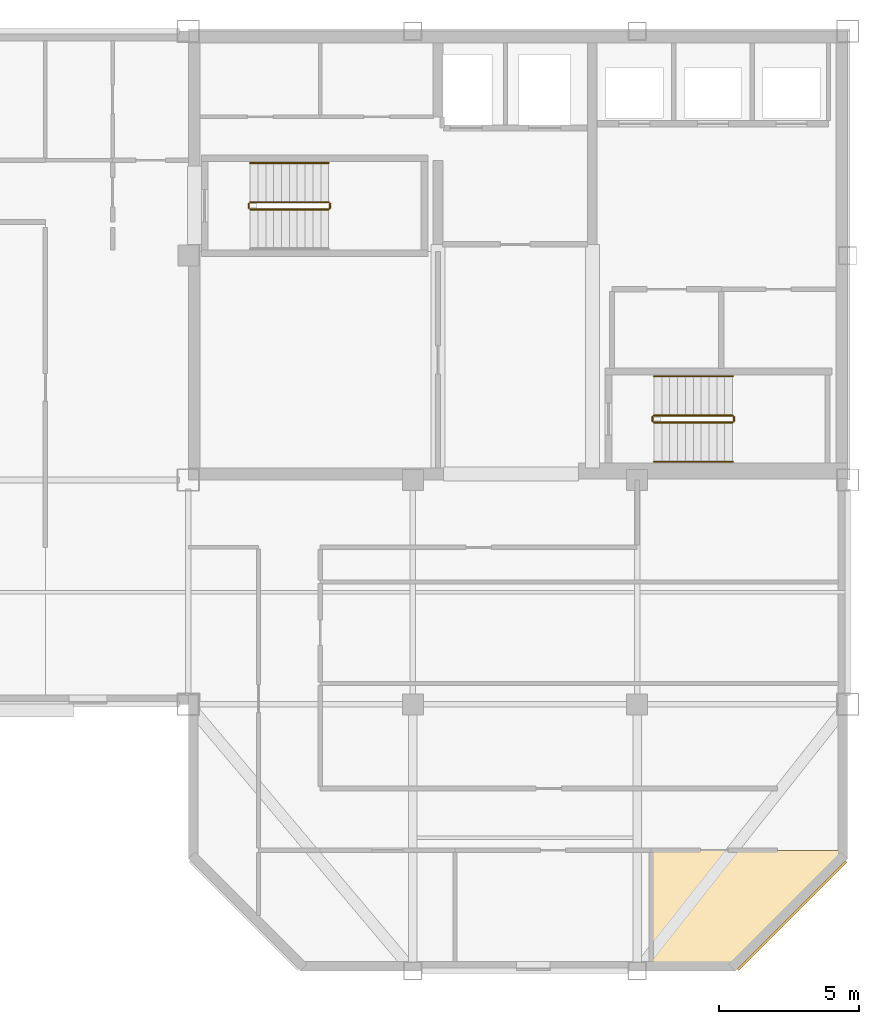
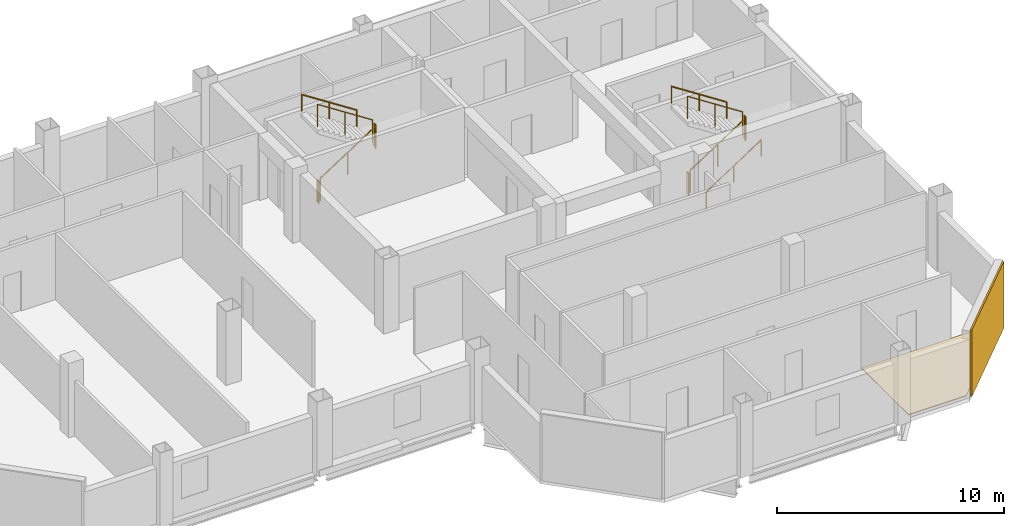
# One storey, part 6 of 7: 11 railings, 2 coverings.
"""IFC4 building model written with IfcOpenShell, lengths in metres."""

from ifc_helpers import new_model, si_unit, direction, frame, origin, origin_2d, place, context, subcontext, project, spatial, polyline, rectangle, circle, outline, extrude, material, layer, layer_set, type_object, element, save


model = new_model("IFC4")

# Units and contexts
model_context = context("Model", 3, precision=1e-05, world=origin(), true_north=direction((0.0, 1.0)))
body_context = subcontext(model_context, "Body", "Model", "MODEL_VIEW")
ifc_project = project(units=[si_unit("LENGTHUNIT", "METRE"), si_unit("AREAUNIT", "SQUARE_METRE"), si_unit("VOLUMEUNIT", "CUBIC_METRE"), si_unit("PLANEANGLEUNIT", "RADIAN"), si_unit("MASSUNIT", "GRAM", prefix="KILO")], contexts=[model_context])

# Site, building, storey
site_placement = place(None, origin())
site = spatial("IfcSite", under=ifc_project, at=site_placement, CompositionType="ELEMENT")
building_placement = place(site_placement, origin())
building = spatial("IfcBuilding", under=site, at=building_placement, Name="Qianrong Seaharbour Tower", CompositionType="ELEMENT")
storey_placement = place(building_placement, frame((0.0, 0.0, 363.199951171875)))
storey = spatial("IfcBuildingStorey", under=building, at=storey_placement, Name="L88", CompositionType="ELEMENT", Elevation=363.199951171875)

# Coverings
ifc_material_1 = material(Name="Unitised red brick cladding on Precast concrete C45/55", Category="masonry")
ifc_layer_1 = layer(ifc_material_1, 0.080078125)
ifc_layer_set_1 = layer_set([ifc_layer_1], Name="Unitised red brick cladding on Precast concrete C45/55")
covering_type_1 = type_object("IfcCoveringType", Name="COV-CLAD-RED-BRICK-80", PredefinedType="CLADDING", material=ifc_layer_set_1)
covering_1_placement = place(storey_placement, frame((62.0283203125, 20.4716796875, 0.0), z_axis=(0.0, 0.0, 1.0), x_axis=(-0.707106781187, -0.707106781187, 0.0)))
element("IfcCovering", 1, at=covering_1_placement, inside=storey, type_object=covering_type_1, Name="L88 Chamfer Corner Brick Cladding 07", PredefinedType="CLADDING", context=body_context, shape_type="SweptSolid", body=[
    extrude(rectangle(XDim=5.456787109375, YDim=0.080078125, at=origin_2d()), origin(), (0.0, 0.0, 1.0), 3.580078125),
])
ifc_material_2 = material(Name="Calcium-sulphate raised access floor tile")
ifc_layer_2 = layer(ifc_material_2, 0.044921875)
ifc_layer_set_2 = layer_set([ifc_layer_2], Name="Calcium-sulphate raised access floor tile")
covering_type_2 = type_object("IfcCoveringType", Name="COV-FLOOR-RAISED-45", PredefinedType="FLOORING", material=ifc_layer_set_2)
covering_2_placement = place(storey_placement, origin())
element("IfcCovering", 2, at=covering_2_placement, inside=storey, type_object=covering_type_2, Name="L88 Senior Partner Office 3 Finish Flooring", PredefinedType="FLOORING", context=body_context, shape_type="SweptSolid", body=[
    extrude(outline(polyline([(63.8349609375, 22.568359375), (59.931640625, 18.6650390625), (57.0, 18.6650390625), (57.0, 22.800048828125), (63.8349609375, 22.800048828125), (63.8349609375, 22.568359375)])), origin(), (0.0, 0.0, 1.0), 0.045166015625),
])

# Railings
ifc_material_3 = material(Name="Galvanized painted steel SN400B stair guard", Category="steel")
railing_type_1 = type_object("IfcRailingType", Name="RAIL-STAIR-GUARD-1220", PredefinedType="GUARDRAIL", material=ifc_material_3)
railing_1_placement = place(storey_placement, frame((42.699951171875, 45.64990234375, 0.181884765625)))
element("IfcRailing", 3, at=railing_1_placement, inside=storey, type_object=railing_type_1, Name="L88 ST-1 stair guard 1", PredefinedType="GUARDRAIL", context=body_context, shape_type="SweptSolid", body=[
    extrude(circle(Radius=0.02392578125, at=origin_2d()), frame((0.0, 0.0, 1.19580078125), z_axis=(0.838705829183, 0.0, 0.544584733623), x_axis=(0.0, 1.0, 0.0)), (0.0, 0.0, 1.0), 3.338623046875),
    extrude(circle(Radius=0.02099609375, at=origin_2d()), origin(), (0.0, 0.0, 1.0), 1.171875),
    extrude(circle(Radius=0.02099609375, at=origin_2d()), frame((1.39990234375, 0.0, 0.9091796875)), (0.0, 0.0, 1.0), 1.171875),
    extrude(circle(Radius=0.02099609375, at=origin_2d()), frame((2.800048828125, 0.0, 1.818115234375)), (0.0, 0.0, 1.0), 1.171875),
])
railing_2_placement = place(storey_placement, frame((45.550048828125, 45.699951171875, 2.0)))
element("IfcRailing", 4, at=railing_2_placement, inside=storey, type_object=railing_type_1, Name="L88 ST-1 stair guard 2", PredefinedType="GUARDRAIL", context=body_context, shape_type="SweptSolid", body=[
    extrude(circle(Radius=0.02392578125, at=origin_2d()), frame((0.0, 0.0, 1.19580078125), z_axis=(0.0, 1.0, 0.0), x_axis=(-1.0, 0.0, 0.0)), (0.0, 0.0, 1.0), 0.150146484375),
    extrude(circle(Radius=0.02099609375, at=origin_2d()), origin(), (0.0, 0.0, 1.0), 1.171875),
    extrude(circle(Radius=0.02099609375, at=origin_2d()), frame((0.0, 0.150146484375, 0.0)), (0.0, 0.0, 1.0), 1.171875),
])
railing_3_placement = place(storey_placement, frame((45.5, 45.89990234375, 2.181884765625)))
element("IfcRailing", 5, at=railing_3_placement, inside=storey, type_object=railing_type_1, Name="L88 ST-1 stair guard 3", PredefinedType="GUARDRAIL", context=body_context, shape_type="SweptSolid", body=[
    extrude(circle(Radius=0.02392578125, at=origin_2d()), frame((0.0, 0.0, 1.19580078125), z_axis=(-0.838705829183, 0.0, 0.544584733623), x_axis=(0.0, -1.0, 0.0)), (0.0, 0.0, 1.0), 3.338623046875),
    extrude(circle(Radius=0.02099609375, at=origin_2d()), origin(), (0.0, 0.0, 1.0), 1.171875),
    extrude(circle(Radius=0.02099609375, at=origin_2d()), frame((-1.39990234375, 0.0, 0.9091796875)), (0.0, 0.0, 1.0), 1.171875),
    extrude(circle(Radius=0.02099609375, at=origin_2d()), frame((-2.800048828125, 0.0, 1.818115234375)), (0.0, 0.0, 1.0), 1.171875),
])
railing_4_placement = place(storey_placement, frame((42.64990234375, 45.699951171875, 0.0)))
element("IfcRailing", 6, at=railing_4_placement, inside=storey, type_object=railing_type_1, Name="L88 ST-1 stair guard 4", PredefinedType="GUARDRAIL", context=body_context, shape_type="SweptSolid", body=[
    extrude(circle(Radius=0.02392578125, at=origin_2d()), frame((0.0, 0.0, 1.19580078125), z_axis=(0.0, 1.0, 0.0), x_axis=(-1.0, 0.0, 0.0)), (0.0, 0.0, 1.0), 0.150146484375),
    extrude(circle(Radius=0.02099609375, at=origin_2d()), origin(), (0.0, 0.0, 1.0), 1.171875),
    extrude(circle(Radius=0.02099609375, at=origin_2d()), frame((0.0, 0.150146484375, 0.0)), (0.0, 0.0, 1.0), 1.171875),
])
railing_5_placement = place(storey_placement, frame((57.10009765625, 38.050048828125, 0.181884765625)))
element("IfcRailing", 7, at=railing_5_placement, inside=storey, type_object=railing_type_1, Name="L88 ST-2 stair guard 1", PredefinedType="GUARDRAIL", context=body_context, shape_type="SweptSolid", body=[
    extrude(circle(Radius=0.02392578125, at=origin_2d()), frame((0.0, 0.0, 1.19580078125), z_axis=(0.83868413941, 0.0, 0.544618136222), x_axis=(0.0, 1.0, 0.0)), (0.0, 0.0, 1.0), 3.33837890625),
    extrude(circle(Radius=0.02099609375, at=origin_2d()), origin(), (0.0, 0.0, 1.0), 1.171875),
    extrude(circle(Radius=0.02099609375, at=origin_2d()), frame((1.39990234375, 0.0, 0.9091796875)), (0.0, 0.0, 1.0), 1.171875),
    extrude(circle(Radius=0.02099609375, at=origin_2d()), frame((2.7998046875, 0.0, 1.818115234375)), (0.0, 0.0, 1.0), 1.171875),
])
railing_6_placement = place(storey_placement, frame((59.949951171875, 38.10009765625, 2.0)))
element("IfcRailing", 8, at=railing_6_placement, inside=storey, type_object=railing_type_1, Name="L88 ST-2 stair guard 2", PredefinedType="GUARDRAIL", context=body_context, shape_type="SweptSolid", body=[
    extrude(circle(Radius=0.02392578125, at=origin_2d()), frame((0.0, 0.0, 1.19580078125), z_axis=(0.0, 1.0, 0.0), x_axis=(-1.0, 0.0, 0.0)), (0.0, 0.0, 1.0), 0.14990234375),
    extrude(circle(Radius=0.02099609375, at=origin_2d()), origin(), (0.0, 0.0, 1.0), 1.171875),
    extrude(circle(Radius=0.02099609375, at=origin_2d()), frame((0.0, 0.14990234375, 0.0)), (0.0, 0.0, 1.0), 1.171875),
])
railing_7_placement = place(storey_placement, frame((59.89990234375, 38.300048828125, 2.181884765625)))
element("IfcRailing", 9, at=railing_7_placement, inside=storey, type_object=railing_type_1, Name="L88 ST-2 stair guard 3", PredefinedType="GUARDRAIL", context=body_context, shape_type="SweptSolid", body=[
    extrude(circle(Radius=0.02392578125, at=origin_2d()), frame((0.0, 0.0, 1.19580078125), z_axis=(-0.83868413941, 0.0, 0.544618136222), x_axis=(0.0, -1.0, 0.0)), (0.0, 0.0, 1.0), 3.33837890625),
    extrude(circle(Radius=0.02099609375, at=origin_2d()), origin(), (0.0, 0.0, 1.0), 1.171875),
    extrude(circle(Radius=0.02099609375, at=origin_2d()), frame((-1.39990234375, 0.0, 0.9091796875)), (0.0, 0.0, 1.0), 1.171875),
    extrude(circle(Radius=0.02099609375, at=origin_2d()), frame((-2.7998046875, 0.0, 1.818115234375)), (0.0, 0.0, 1.0), 1.171875),
])
railing_8_placement = place(storey_placement, frame((57.050048828125, 38.10009765625, 0.0)))
element("IfcRailing", 10, at=railing_8_placement, inside=storey, type_object=railing_type_1, Name="L88 ST-2 stair guard 4", PredefinedType="GUARDRAIL", context=body_context, shape_type="SweptSolid", body=[
    extrude(circle(Radius=0.02392578125, at=origin_2d()), frame((0.0, 0.0, 1.19580078125), z_axis=(0.0, 1.0, 0.0), x_axis=(-1.0, 0.0, 0.0)), (0.0, 0.0, 1.0), 0.14990234375),
    extrude(circle(Radius=0.02099609375, at=origin_2d()), origin(), (0.0, 0.0, 1.0), 1.171875),
    extrude(circle(Radius=0.02099609375, at=origin_2d()), frame((0.0, 0.14990234375, 0.0)), (0.0, 0.0, 1.0), 1.171875),
])
ifc_material_4 = material(Name="Stainless steel SUS316L continuous handrail", Category="steel")
railing_type_2 = type_object("IfcRailingType", Name="RAIL-STAIR-HANDRAIL-900", PredefinedType="HANDRAIL", material=ifc_material_4)
railing_9_placement = place(storey_placement, frame((45.5, 47.300048828125, 2.181884765625)))
element("IfcRailing", 11, at=railing_9_placement, inside=storey, type_object=railing_type_2, Name="L88 ST-1 stair handrail 2", PredefinedType="HANDRAIL", context=body_context, shape_type="SweptSolid", body=[
    extrude(circle(Radius=0.02392578125, at=origin_2d()), frame((0.0, 0.0, 0.8759765625), z_axis=(-0.838705829183, 0.0, 0.544584733623), x_axis=(0.0, -1.0, 0.0)), (0.0, 0.0, 1.0), 3.338623046875),
    extrude(circle(Radius=0.02099609375, at=origin_2d()), origin(), (0.0, 0.0, 1.0), 0.851806640625),
    extrude(circle(Radius=0.02099609375, at=origin_2d()), frame((-1.39990234375, 0.0, 0.9091796875)), (0.0, 0.0, 1.0), 0.851806640625),
    extrude(circle(Radius=0.02099609375, at=origin_2d()), frame((-2.800048828125, 0.0, 1.818115234375)), (0.0, 0.0, 1.0), 0.851806640625),
])
railing_10_placement = place(storey_placement, frame((57.10009765625, 36.64990234375, 0.181884765625)))
element("IfcRailing", 12, at=railing_10_placement, inside=storey, type_object=railing_type_2, Name="L88 ST-2 stair handrail 1", PredefinedType="HANDRAIL", context=body_context, shape_type="SweptSolid", body=[
    extrude(circle(Radius=0.02392578125, at=origin_2d()), frame((0.0, 0.0, 0.8759765625), z_axis=(0.83868413941, 0.0, 0.544618136222), x_axis=(0.0, 1.0, 0.0)), (0.0, 0.0, 1.0), 3.33837890625),
    extrude(circle(Radius=0.02099609375, at=origin_2d()), origin(), (0.0, 0.0, 1.0), 0.851806640625),
    extrude(circle(Radius=0.02099609375, at=origin_2d()), frame((1.39990234375, 0.0, 0.9091796875)), (0.0, 0.0, 1.0), 0.851806640625),
    extrude(circle(Radius=0.02099609375, at=origin_2d()), frame((2.7998046875, 0.0, 1.818115234375)), (0.0, 0.0, 1.0), 0.851806640625),
])
railing_11_placement = place(storey_placement, frame((59.89990234375, 39.699951171875, 2.181884765625)))
element("IfcRailing", 13, at=railing_11_placement, inside=storey, type_object=railing_type_2, Name="L88 ST-2 stair handrail 2", PredefinedType="HANDRAIL", context=body_context, shape_type="SweptSolid", body=[
    extrude(circle(Radius=0.02392578125, at=origin_2d()), frame((0.0, 0.0, 0.8759765625), z_axis=(-0.83868413941, 0.0, 0.544618136222), x_axis=(0.0, -1.0, 0.0)), (0.0, 0.0, 1.0), 3.33837890625),
    extrude(circle(Radius=0.02099609375, at=origin_2d()), origin(), (0.0, 0.0, 1.0), 0.851806640625),
    extrude(circle(Radius=0.02099609375, at=origin_2d()), frame((-1.39990234375, 0.0, 0.9091796875)), (0.0, 0.0, 1.0), 0.851806640625),
    extrude(circle(Radius=0.02099609375, at=origin_2d()), frame((-2.7998046875, 0.0, 1.818115234375)), (0.0, 0.0, 1.0), 0.851806640625),
])

save(model, "model.ifc")
